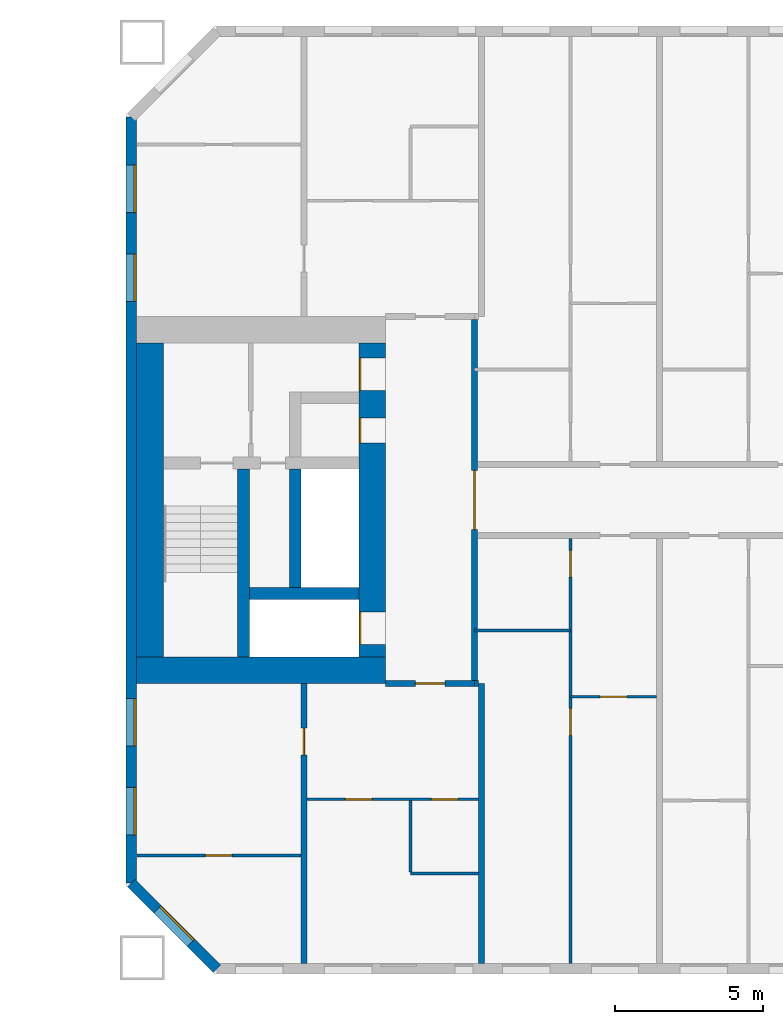
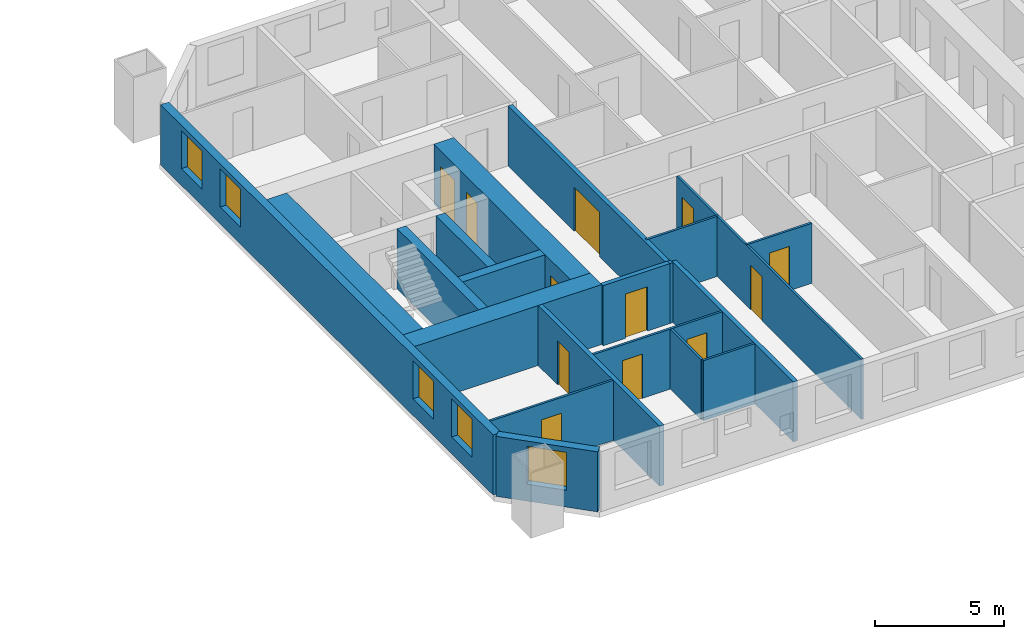
# One storey, part 9 of 17: 20 walls, 12 doors, 5 windows, 17 openings.
"""IFC4 building model written with IfcOpenShell, lengths in metres."""

from ifc_helpers import new_model, si_unit, direction, frame, frame_2d, origin, place, context, subcontext, project, spatial, rectangle, extrude, material, layer, layer_set, type_object, element, fill, save


model = new_model("IFC4")

# Units and contexts
model_context = context("Model", 3, precision=1e-05, world=origin(), true_north=direction((0.0, 1.0)))
body_context = subcontext(model_context, "Body", "Model", "MODEL_VIEW")
ifc_project = project(units=[si_unit("LENGTHUNIT", "METRE"), si_unit("AREAUNIT", "SQUARE_METRE"), si_unit("VOLUMEUNIT", "CUBIC_METRE"), si_unit("PLANEANGLEUNIT", "RADIAN"), si_unit("MASSUNIT", "GRAM", prefix="KILO")], contexts=[model_context])

# Site, building, storey
site_placement = place(None, origin())
site = spatial("IfcSite", under=ifc_project, at=site_placement, CompositionType="ELEMENT")
building_placement = place(site_placement, origin())
building = spatial("IfcBuilding", under=site, at=building_placement, Name="Tuart Gate Housing", CompositionType="ELEMENT")
storey_placement = place(building_placement, frame((0.0, 0.0, 25.699951171875)))
storey = spatial("IfcBuildingStorey", under=building, at=storey_placement, Name="L06", CompositionType="ELEMENT", Elevation=25.699951171875)

# Wall, opening, window
ifc_material_1 = material(Name="Brick", Category="masonry")
ifc_layer_1 = layer(ifc_material_1, 0.360107421875)
ifc_layer_set_1 = layer_set([ifc_layer_1], Name="Brick pier and spandrel wall 360")
wall_type_1 = type_object("IfcWallType", Name="Brick pier and spandrel wall 360", PredefinedType="STANDARD", material=ifc_layer_set_1)
wall_1_placement = place(storey_placement, frame((131.179931640625, 57.07470703125, 0.0), z_axis=(0.0, 0.0, 1.0), x_axis=(0.707106781187, -0.707106781187, 0.0)))
wall_1 = element("IfcWall", 1, at=wall_1_placement, inside=storey, type_object=wall_type_1, Name="External wall B-SW L06", PredefinedType="STANDARD", context=body_context, shape_type="SweptSolid", body=[
    extrude(rectangle(XDim=4.09375, YDim=0.360107421875, at=frame_2d((2.046875, 0.0))), origin(), (0.0, 0.0, 1.0), 2.85009765625),
])
opening_1_placement = place(wall_1_placement, frame((1.2470703125, 0.0, 0.800048828125)))
opening_1 = element("IfcOpeningElement", 2, at=opening_1_placement, cuts=wall_1, Name="Opening W1", PredefinedType="OPENING", context=body_context, shape_type="SweptSolid", body=[
    extrude(rectangle(XDim=1.60009765625, YDim=1.800048828125, at=frame_2d((0.800048828125, 0.89990234375))), frame((0.0, 0.18994140625, 0.0), z_axis=(0.0, -1.0, 0.0), x_axis=(1.0, 0.0, 0.0)), (0.0, 0.0, 1.0), 0.380126953125),
])
ifc_material_2 = material(Name="Aluminium frame with clear glass", Category="aluminium")
window_type = type_object("IfcWindowType", Name="Punched window 1600 x 1800", PartitioningType="SINGLE_PANEL", PredefinedType="WINDOW", material=ifc_material_2)
window_1_placement = place(opening_1_placement, origin())
window_1 = element("IfcWindow", 3, at=window_1_placement, inside=storey, type_object=window_type, Name="Window W1", OverallHeight=1.800048828125, OverallWidth=1.60009765625, PartitioningType="SINGLE_PANEL", PredefinedType="WINDOW", context=body_context, shape_type="SweptSolid", body=[
    extrude(rectangle(XDim=1.60009765625, YDim=1.800048828125, at=frame_2d((0.800048828125, 0.89990234375))), frame((0.0, 0.150146484375, 0.0), z_axis=(0.0, -1.0, 0.0), x_axis=(1.0, 0.0, 0.0)), (0.0, 0.0, 1.0), 0.06005859375),
])
fill(opening_1, window_1)

# Wall, openings, windows
wall_2_placement = place(storey_placement, frame((131.179931640625, 82.92529296875, 0.0), z_axis=(0.0, 0.0, 1.0), x_axis=(0.0, -1.0, 0.0)))
wall_2 = element("IfcWall", 4, at=wall_2_placement, inside=storey, type_object=wall_type_1, Name="External wall B-W L06", PredefinedType="STANDARD", context=body_context, shape_type="SweptSolid", body=[
    extrude(rectangle(XDim=25.850830078125, YDim=0.360107421875, at=frame_2d((12.92529296875, 0.0))), origin(), (0.0, 0.0, 1.0), 2.85009765625),
])
opening_2_placement = place(wall_2_placement, frame((1.62548828125, 0.0, 0.800048828125)))
opening_2 = element("IfcOpeningElement", 5, at=opening_2_placement, cuts=wall_2, Name="Opening W1", PredefinedType="OPENING", context=body_context, shape_type="SweptSolid", body=[
    extrude(rectangle(XDim=1.60009765625, YDim=1.800048828125, at=frame_2d((0.800048828125, 0.89990234375))), frame((0.0, 0.18994140625, 0.0), z_axis=(0.0, -1.0, 0.0), x_axis=(1.0, 0.0, 0.0)), (0.0, 0.0, 1.0), 0.380126953125),
])
opening_3_placement = place(wall_2_placement, frame((4.62548828125, 0.0, 0.800048828125)))
opening_3 = element("IfcOpeningElement", 6, at=opening_3_placement, cuts=wall_2, Name="Opening W1", PredefinedType="OPENING", context=body_context, shape_type="SweptSolid", body=[
    extrude(rectangle(XDim=1.60009765625, YDim=1.800048828125, at=frame_2d((0.800048828125, 0.89990234375))), frame((0.0, 0.18994140625, 0.0), z_axis=(0.0, -1.0, 0.0), x_axis=(1.0, 0.0, 0.0)), (0.0, 0.0, 1.0), 0.380126953125),
])
opening_4_placement = place(wall_2_placement, frame((19.62548828125, 0.0, 0.800048828125)))
opening_4 = element("IfcOpeningElement", 7, at=opening_4_placement, cuts=wall_2, Name="Opening W1", PredefinedType="OPENING", context=body_context, shape_type="SweptSolid", body=[
    extrude(rectangle(XDim=1.60009765625, YDim=1.800048828125, at=frame_2d((0.800048828125, 0.89990234375))), frame((0.0, 0.18994140625, 0.0), z_axis=(0.0, -1.0, 0.0), x_axis=(1.0, 0.0, 0.0)), (0.0, 0.0, 1.0), 0.380126953125),
])
opening_5_placement = place(wall_2_placement, frame((22.62548828125, 0.0, 0.800048828125)))
opening_5 = element("IfcOpeningElement", 8, at=opening_5_placement, cuts=wall_2, Name="Opening W1", PredefinedType="OPENING", context=body_context, shape_type="SweptSolid", body=[
    extrude(rectangle(XDim=1.60009765625, YDim=1.800048828125, at=frame_2d((0.800048828125, 0.89990234375))), frame((0.0, 0.18994140625, 0.0), z_axis=(0.0, -1.0, 0.0), x_axis=(1.0, 0.0, 0.0)), (0.0, 0.0, 1.0), 0.380126953125),
])
window_2_placement = place(opening_2_placement, origin())
window_2 = element("IfcWindow", 9, at=window_2_placement, inside=storey, type_object=window_type, Name="Window W1", OverallHeight=1.800048828125, OverallWidth=1.60009765625, PartitioningType="SINGLE_PANEL", PredefinedType="WINDOW", context=body_context, shape_type="SweptSolid", body=[
    extrude(rectangle(XDim=1.60009765625, YDim=1.800048828125, at=frame_2d((0.800048828125, 0.89990234375))), frame((0.0, 0.150146484375, 0.0), z_axis=(0.0, -1.0, 0.0), x_axis=(1.0, 0.0, 0.0)), (0.0, 0.0, 1.0), 0.06005859375),
])
fill(opening_2, window_2)
window_3_placement = place(opening_3_placement, origin())
window_3 = element("IfcWindow", 10, at=window_3_placement, inside=storey, type_object=window_type, Name="Window W1", OverallHeight=1.800048828125, OverallWidth=1.60009765625, PartitioningType="SINGLE_PANEL", PredefinedType="WINDOW", context=body_context, shape_type="SweptSolid", body=[
    extrude(rectangle(XDim=1.60009765625, YDim=1.800048828125, at=frame_2d((0.800048828125, 0.89990234375))), frame((0.0, 0.150146484375, 0.0), z_axis=(0.0, -1.0, 0.0), x_axis=(1.0, 0.0, 0.0)), (0.0, 0.0, 1.0), 0.06005859375),
])
fill(opening_3, window_3)
window_4_placement = place(opening_4_placement, origin())
window_4 = element("IfcWindow", 11, at=window_4_placement, inside=storey, type_object=window_type, Name="Window W1", OverallHeight=1.800048828125, OverallWidth=1.60009765625, PartitioningType="SINGLE_PANEL", PredefinedType="WINDOW", context=body_context, shape_type="SweptSolid", body=[
    extrude(rectangle(XDim=1.60009765625, YDim=1.800048828125, at=frame_2d((0.800048828125, 0.89990234375))), frame((0.0, 0.150146484375, 0.0), z_axis=(0.0, -1.0, 0.0), x_axis=(1.0, 0.0, 0.0)), (0.0, 0.0, 1.0), 0.06005859375),
])
fill(opening_4, window_4)
window_5_placement = place(opening_5_placement, origin())
window_5 = element("IfcWindow", 12, at=window_5_placement, inside=storey, type_object=window_type, Name="Window W1", OverallHeight=1.800048828125, OverallWidth=1.60009765625, PartitioningType="SINGLE_PANEL", PredefinedType="WINDOW", context=body_context, shape_type="SweptSolid", body=[
    extrude(rectangle(XDim=1.60009765625, YDim=1.800048828125, at=frame_2d((0.800048828125, 0.89990234375))), frame((0.0, 0.150146484375, 0.0), z_axis=(0.0, -1.0, 0.0), x_axis=(1.0, 0.0, 0.0)), (0.0, 0.0, 1.0), 0.06005859375),
])
fill(opening_5, window_5)

# Walls
ifc_material_3 = material(Name="Concrete C60", Category="concrete")
ifc_layer_2 = layer(ifc_material_3, 0.39990234375)
ifc_layer_set_2 = layer_set([ifc_layer_2], Name="Core wall 400 C60")
wall_type_2 = type_object("IfcWallType", Name="Core wall 400 C60", PredefinedType="SHEAR", material=ifc_layer_set_2)
wall_3_placement = place(storey_placement, frame((138.860107421875, 66.85009765625, 0.0), z_axis=(0.0, 0.0, 1.0), x_axis=(-1.0, 0.0, 0.0)))
element("IfcWall", 13, at=wall_3_placement, inside=storey, type_object=wall_type_2, Name="Core wall BG.1", PredefinedType="SHEAR", context=body_context, shape_type="SweptSolid", body=[
    extrude(rectangle(XDim=3.7001953125, YDim=0.39990234375, at=frame_2d((1.85009765625, 0.0))), origin(), (0.0, 0.0, 1.0), 2.85009765625),
])
wall_4_placement = place(storey_placement, frame((136.7099609375, 67.050048828125, 0.0), z_axis=(0.0, 0.0, 1.0), x_axis=(0.0, 1.0, 0.0)))
element("IfcWall", 14, at=wall_4_placement, inside=storey, type_object=wall_type_2, Name="Core wall BG.4", PredefinedType="SHEAR", context=body_context, shape_type="SweptSolid", body=[
    extrude(rectangle(XDim=4.0, YDim=0.39990234375, at=frame_2d((2.0, 0.0))), origin(), (0.0, 0.0, 1.0), 2.85009765625),
])
wall_5_placement = place(storey_placement, frame((134.9599609375, 64.699951171875, 0.0), z_axis=(0.0, 0.0, 1.0), x_axis=(0.0, 1.0, 0.0)))
element("IfcWall", 15, at=wall_5_placement, inside=storey, type_object=wall_type_2, Name="Core wall BG.7", PredefinedType="SHEAR", context=body_context, shape_type="SweptSolid", body=[
    extrude(rectangle(XDim=6.35009765625, YDim=0.39990234375, at=frame_2d((3.175048828125, 0.0))), origin(), (0.0, 0.0, 1.0), 2.85009765625),
])

# Wall, openings, doors
ifc_material_4 = material(Name="Concrete C60", Category="concrete")
ifc_layer_3 = layer(ifc_material_4, 0.89990234375)
ifc_layer_set_3 = layer_set([ifc_layer_3], Name="Core wall 900 C60")
wall_type_3 = type_object("IfcWallType", Name="Core wall 900 C60", PredefinedType="SHEAR", material=ifc_layer_set_3)
wall_6_placement = place(storey_placement, frame((139.31005859375, 64.699951171875, 0.0), z_axis=(0.0, 0.0, 1.0), x_axis=(0.0, 1.0, 0.0)))
wall_6 = element("IfcWall", 16, at=wall_6_placement, inside=storey, type_object=wall_type_3, Name="Core wall BG front", PredefinedType="SHEAR", context=body_context, shape_type="SweptSolid", body=[
    extrude(rectangle(XDim=10.60009765625, YDim=0.89990234375, at=frame_2d((5.300048828125, 0.0))), origin(), (0.0, 0.0, 1.0), 2.85009765625),
])
opening_6_placement = place(wall_6_placement, frame((0.425048828125, 0.0, 0.0)))
opening_6 = element("IfcOpeningElement", 17, at=opening_6_placement, cuts=wall_6, Name="Opening LD-FB1", PredefinedType="OPENING", context=body_context, shape_type="SweptSolid", body=[
    extrude(rectangle(XDim=1.10009765625, YDim=2.10009765625, at=frame_2d((0.550048828125, 1.050048828125))), frame((0.0, 0.4599609375, 0.0), z_axis=(0.0, -1.0, 0.0), x_axis=(1.0, 0.0, 0.0)), (0.0, 0.0, 1.0), 0.919921875),
])
opening_7_placement = place(wall_6_placement, frame((9.0, 0.0, 0.0)))
opening_7 = element("IfcOpeningElement", 18, at=opening_7_placement, cuts=wall_6, Name="Opening D435", PredefinedType="OPENING", context=body_context, shape_type="SweptSolid", body=[
    extrude(rectangle(XDim=1.10009765625, YDim=2.10009765625, at=frame_2d((0.550048828125, 1.050048828125))), frame((0.0, 0.4599609375, 0.0), z_axis=(0.0, -1.0, 0.0), x_axis=(1.0, 0.0, 0.0)), (0.0, 0.0, 1.0), 0.919921875),
])
opening_8_placement = place(wall_6_placement, frame((7.22509765625, 0.0, 0.0)))
opening_8 = element("IfcOpeningElement", 19, at=opening_8_placement, cuts=wall_6, Name="Opening D436", PredefinedType="OPENING", context=body_context, shape_type="SweptSolid", body=[
    extrude(rectangle(XDim=0.85009765625, YDim=2.10009765625, at=frame_2d((0.425048828125, 1.050048828125))), frame((0.0, 0.4599609375, 0.0), z_axis=(0.0, -1.0, 0.0), x_axis=(1.0, 0.0, 0.0)), (0.0, 0.0, 1.0), 0.919921875),
])
ifc_material_5 = material(Name="Stainless steel", Category="steel")
door_type_1 = type_object("IfcDoorType", Name="Landing door 1100 x 2100", OperationType="DOUBLE_DOOR_SLIDING", PredefinedType="DOOR", material=ifc_material_5)
door_1_placement = place(opening_6_placement, origin())
door_1 = element("IfcDoor", 20, at=door_1_placement, inside=storey, type_object=door_type_1, Name="Lift landing door FB1", OperationType="DOUBLE_DOOR_SLIDING", OverallHeight=2.10009765625, OverallWidth=1.10009765625, PredefinedType="DOOR", context=body_context, shape_type="SweptSolid", body=[
    extrude(rectangle(XDim=1.10009765625, YDim=2.10009765625, at=frame_2d((0.550048828125, 1.050048828125))), frame((0.0, 0.43505859375, 0.0), z_axis=(0.0, -1.0, 0.0), x_axis=(1.0, 0.0, 0.0)), (0.0, 0.0, 1.0), 0.050048828125),
])
fill(opening_6, door_1)
ifc_material_6 = material(Name="Steel fire door", Category="steel")
door_type_2 = type_object("IfcDoorType", Name="Lobby door 1100 x 2100", OperationType="SINGLE_SWING_LEFT", PredefinedType="DOOR", material=ifc_material_6)
door_2_placement = place(opening_7_placement, origin())
door_2 = element("IfcDoor", 21, at=door_2_placement, inside=storey, type_object=door_type_2, Name="Lobby entry door BG.EN", OperationType="SINGLE_SWING_LEFT", OverallHeight=2.10009765625, OverallWidth=1.10009765625, PredefinedType="DOOR", context=body_context, shape_type="SweptSolid", body=[
    extrude(rectangle(XDim=1.10009765625, YDim=2.10009765625, at=frame_2d((0.550048828125, 1.050048828125))), frame((0.0, 0.43505859375, 0.0), z_axis=(0.0, -1.0, 0.0), x_axis=(1.0, 0.0, 0.0)), (0.0, 0.0, 1.0), 0.050048828125),
])
fill(opening_7, door_2)
ifc_material_7 = material(Name="Steel fire door", Category="steel")
door_type_3 = type_object("IfcDoorType", Name="Service door 850 x 2100", OperationType="SINGLE_SWING_LEFT", PredefinedType="DOOR", material=ifc_material_7)
door_3_placement = place(opening_8_placement, origin())
door_3 = element("IfcDoor", 22, at=door_3_placement, inside=storey, type_object=door_type_3, Name="Service room door BG.T1", OperationType="SINGLE_SWING_LEFT", OverallHeight=2.10009765625, OverallWidth=0.85009765625, PredefinedType="DOOR", context=body_context, shape_type="SweptSolid", body=[
    extrude(rectangle(XDim=0.85009765625, YDim=2.10009765625, at=frame_2d((0.425048828125, 1.050048828125))), frame((0.0, 0.43505859375, 0.0), z_axis=(0.0, -1.0, 0.0), x_axis=(1.0, 0.0, 0.0)), (0.0, 0.0, 1.0), 0.050048828125),
])
fill(opening_8, door_3)

# Walls
wall_7_placement = place(storey_placement, frame((131.81005859375, 64.699951171875, 0.0), z_axis=(0.0, 0.0, 1.0), x_axis=(0.0, 1.0, 0.0)))
element("IfcWall", 23, at=wall_7_placement, inside=storey, type_object=wall_type_3, Name="Core wall BG back", PredefinedType="SHEAR", context=body_context, shape_type="SweptSolid", body=[
    extrude(rectangle(XDim=10.60009765625, YDim=0.89990234375, at=frame_2d((5.300048828125, 0.0))), origin(), (0.0, 0.0, 1.0), 2.85009765625),
])
wall_8_placement = place(storey_placement, frame((139.760009765625, 64.25, 0.0), z_axis=(0.0, 0.0, 1.0), x_axis=(-1.0, 0.0, 0.0)))
element("IfcWall", 24, at=wall_8_placement, inside=storey, type_object=wall_type_3, Name="Core wall BG south", PredefinedType="SHEAR", context=body_context, shape_type="SweptSolid", body=[
    extrude(rectangle(XDim=8.39990234375, YDim=0.89990234375, at=frame_2d((4.199951171875, 0.0))), origin(), (0.0, 0.0, 1.0), 2.85009765625),
])

# Wall, opening, door
ifc_material_8 = material(Name="Concrete masonry 15 MPa", Category="masonry")
ifc_layer_4 = layer(ifc_material_8, 0.199951171875)
ifc_layer_set_4 = layer_set([ifc_layer_4], Name="Enclosure wall masonry 200")
wall_type_4 = type_object("IfcWallType", Name="Enclosure wall masonry 200", PredefinedType="PARTITIONING", material=ifc_layer_set_4)
wall_9_placement = place(storey_placement, frame((139.760009765625, 63.800048828125, 0.0), z_axis=(0.0, 0.0, 1.0), x_axis=(1.0, 0.0, 0.0)))
wall_9 = element("IfcWall", 25, at=wall_9_placement, inside=storey, type_object=wall_type_4, Name="Enclosure wall masonry 200", PredefinedType="PARTITIONING", context=body_context, shape_type="SweptSolid", body=[
    extrude(rectangle(XDim=3.0, YDim=0.199951171875, at=frame_2d((1.5, 0.0))), origin(), (0.0, 0.0, 1.0), 2.85009765625),
])
opening_9_placement = place(wall_9_placement, frame((1.0, 0.0, 0.0)))
opening_9 = element("IfcOpeningElement", 26, at=opening_9_placement, cuts=wall_9, Name="Opening D447", PredefinedType="OPENING", context=body_context, shape_type="SweptSolid", body=[
    extrude(rectangle(XDim=1.0, YDim=2.10009765625, at=frame_2d((0.5, 1.050048828125))), frame((0.0, 0.10986328125, 0.0), z_axis=(0.0, -1.0, 0.0), x_axis=(1.0, 0.0, 0.0)), (0.0, 0.0, 1.0), 0.219970703125),
])
ifc_material_9 = material(Name="Timber door leaf in steel frame", Category="steel")
door_type_4 = type_object("IfcDoorType", Name="Flat entrance door 1000", OperationType="SINGLE_SWING_LEFT", PredefinedType="DOOR", material=ifc_material_9)
door_4_placement = place(opening_9_placement, frame((1.0, 0.0, 0.0), z_axis=(0.0, 0.0, 1.0), x_axis=(-1.0, 0.0, 0.0)))
door_4 = element("IfcDoor", 27, at=door_4_placement, inside=storey, type_object=door_type_4, Name="Flat entrance door", OperationType="SINGLE_SWING_LEFT", OverallHeight=2.10009765625, OverallWidth=1.0, PredefinedType="DOOR", context=body_context, shape_type="SweptSolid", body=[
    extrude(rectangle(XDim=1.0, YDim=2.10009765625, at=frame_2d((0.5, 1.050048828125))), frame((0.0, 0.025146484375, 0.0), z_axis=(0.0, -1.0, 0.0), x_axis=(1.0, 0.0, 0.0)), (0.0, 0.0, 1.0), 0.050048828125),
])
fill(opening_9, door_4)

ifc_material_10 = material(Name="Plasterboard partition")
ifc_layer_5 = layer(ifc_material_10, 0.199951171875)
ifc_layer_set_5 = layer_set([ifc_layer_5], Name="Lobby wall 200")
wall_type_5 = type_object("IfcWallType", Name="Lobby wall 200", PredefinedType="PARTITIONING", material=ifc_layer_set_5)
wall_10_placement = place(storey_placement, frame((142.760009765625, 63.89990234375, 0.0), z_axis=(0.0, 0.0, 1.0), x_axis=(0.0, 1.0, 0.0)))
wall_10 = element("IfcWall", 28, at=wall_10_placement, inside=storey, type_object=wall_type_5, Name="Lift lobby wall BG", PredefinedType="PARTITIONING", context=body_context, shape_type="SweptSolid", body=[
    extrude(rectangle(XDim=12.2001953125, YDim=0.199951171875, at=frame_2d((6.10009765625, 0.0))), origin(), (0.0, 0.0, 1.0), 2.85009765625),
])
opening_10_placement = place(wall_10_placement, frame((5.10009765625, 0.0, 0.0)))
opening_10 = element("IfcOpeningElement", 29, at=opening_10_placement, cuts=wall_10, Name="Opening D437", PredefinedType="OPENING", context=body_context, shape_type="SweptSolid", body=[
    extrude(rectangle(XDim=2.0, YDim=2.10009765625, at=frame_2d((1.0, 1.050048828125))), frame((0.0, 0.10986328125, 0.0), z_axis=(0.0, -1.0, 0.0), x_axis=(1.0, 0.0, 0.0)), (0.0, 0.0, 1.0), 0.219970703125),
])
ifc_material_11 = material(Name="Steel fire door", Category="steel")
door_type_5 = type_object("IfcDoorType", Name="Smoke door 2000 x 2100", OperationType="DOUBLE_DOOR_SINGLE_SWING", PredefinedType="DOOR", material=ifc_material_11)
door_5_placement = place(opening_10_placement, origin())
door_5 = element("IfcDoor", 30, at=door_5_placement, inside=storey, type_object=door_type_5, Name="Lift lobby smoke door BG", OperationType="DOUBLE_DOOR_SINGLE_SWING", OverallHeight=2.10009765625, OverallWidth=2.0, PredefinedType="DOOR", context=body_context, shape_type="SweptSolid", body=[
    extrude(rectangle(XDim=2.0, YDim=2.10009765625, at=frame_2d((1.0, 1.050048828125))), frame((0.0, 0.02490234375, 0.0), z_axis=(0.0, -1.0, 0.0), x_axis=(1.0, 0.0, 0.0)), (0.0, 0.0, 1.0), 0.050048828125),
])
fill(opening_10, door_5)

# Wall
ifc_material_12 = material(Name="Gypsum board on steel studs", Category="steel")
ifc_layer_6 = layer(ifc_material_12, 0.10009765625)
ifc_layer_set_6 = layer_set([ifc_layer_6], Name="Partition 100")
wall_type_6 = type_object("IfcWallType", Name="Partition 100", PredefinedType="PARTITIONING", material=ifc_layer_set_6)
wall_11_placement = place(storey_placement, frame((140.60009765625, 57.39990234375, 0.0), z_axis=(0.0, 0.0, 1.0), x_axis=(1.0, 0.0, 0.0)))
element("IfcWall", 31, at=wall_11_placement, inside=storey, type_object=wall_type_6, Name="Partition 100", PredefinedType="PARTITIONING", context=body_context, shape_type="SweptSolid", body=[
    extrude(rectangle(XDim=2.2998046875, YDim=0.10009765625, at=frame_2d((1.14990234375, 0.0))), origin(), (0.0, 0.0, 1.0), 2.85009765625),
])

# Wall, opening, door
wall_12_placement = place(storey_placement, frame((131.360107421875, 58.0, 0.0), z_axis=(0.0, 0.0, 1.0), x_axis=(1.0, 0.0, 0.0)))
wall_12 = element("IfcWall", 32, at=wall_12_placement, inside=storey, type_object=wall_type_6, Name="Partition 100", PredefinedType="PARTITIONING", context=body_context, shape_type="SweptSolid", body=[
    extrude(rectangle(XDim=5.539794921875, YDim=0.10009765625, at=frame_2d((2.77001953125, 0.0))), origin(), (0.0, 0.0, 1.0), 2.85009765625),
])
opening_11_placement = place(wall_12_placement, frame((2.320068359375, 0.0, 0.0)))
opening_11 = element("IfcOpeningElement", 33, at=opening_11_placement, cuts=wall_12, Name="Opening D461", PredefinedType="OPENING", context=body_context, shape_type="SweptSolid", body=[
    extrude(rectangle(XDim=0.89990234375, YDim=2.10009765625, at=frame_2d((0.449951171875, 1.050048828125))), frame((0.0, 0.06005859375, 0.0), z_axis=(0.0, -1.0, 0.0), x_axis=(1.0, 0.0, 0.0)), (0.0, 0.0, 1.0), 0.1201171875),
])
ifc_material_13 = material(Name="Timber door leaf in steel frame", Category="steel")
door_type_6 = type_object("IfcDoorType", Name="Internal door 900 RH", OperationType="SINGLE_SWING_RIGHT", PredefinedType="DOOR", material=ifc_material_13)
door_6_placement = place(opening_11_placement, frame((0.89990234375, 0.0, 0.0), z_axis=(0.0, 0.0, 1.0), x_axis=(-1.0, 0.0, 0.0)))
door_6 = element("IfcDoor", 34, at=door_6_placement, inside=storey, type_object=door_type_6, Name="Internal door", OperationType="SINGLE_SWING_RIGHT", OverallHeight=2.10009765625, OverallWidth=0.89990234375, PredefinedType="DOOR", context=body_context, shape_type="SweptSolid", body=[
    extrude(rectangle(XDim=0.89990234375, YDim=2.10009765625, at=frame_2d((0.449951171875, 1.050048828125))), frame((0.0, 0.025146484375, 0.0), z_axis=(0.0, -1.0, 0.0), x_axis=(1.0, 0.0, 0.0)), (0.0, 0.0, 1.0), 0.050048828125),
])
fill(opening_11, door_6)

# Wall, openings, doors
wall_13_placement = place(storey_placement, frame((137.10009765625, 59.89990234375, 0.0), z_axis=(0.0, 0.0, 1.0), x_axis=(1.0, 0.0, 0.0)))
wall_13 = element("IfcWall", 35, at=wall_13_placement, inside=storey, type_object=wall_type_6, Name="Partition 100", PredefinedType="PARTITIONING", context=body_context, shape_type="SweptSolid", body=[
    extrude(rectangle(XDim=5.7998046875, YDim=0.10009765625, at=frame_2d((2.89990234375, 0.0))), origin(), (0.0, 0.0, 1.0), 2.85009765625),
])
opening_12_placement = place(wall_13_placement, frame((1.300048828125, 0.0, 0.0)))
opening_12 = element("IfcOpeningElement", 36, at=opening_12_placement, cuts=wall_13, Name="Opening D458", PredefinedType="OPENING", context=body_context, shape_type="SweptSolid", body=[
    extrude(rectangle(XDim=0.89990234375, YDim=2.10009765625, at=frame_2d((0.449951171875, 1.050048828125))), frame((0.0, 0.06005859375, 0.0), z_axis=(0.0, -1.0, 0.0), x_axis=(1.0, 0.0, 0.0)), (0.0, 0.0, 1.0), 0.1201171875),
])
opening_13_placement = place(wall_13_placement, frame((4.199951171875, 0.0, 0.0)))
opening_13 = element("IfcOpeningElement", 37, at=opening_13_placement, cuts=wall_13, Name="Opening D457", PredefinedType="OPENING", context=body_context, shape_type="SweptSolid", body=[
    extrude(rectangle(XDim=0.89990234375, YDim=2.10009765625, at=frame_2d((0.449951171875, 1.050048828125))), frame((0.0, 0.06005859375, 0.0), z_axis=(0.0, -1.0, 0.0), x_axis=(1.0, 0.0, 0.0)), (0.0, 0.0, 1.0), 0.1201171875),
])
ifc_material_14 = material(Name="Timber door leaf in steel frame", Category="steel")
door_type_7 = type_object("IfcDoorType", Name="Bathroom door 900 RH", OperationType="SINGLE_SWING_RIGHT", PredefinedType="DOOR", material=ifc_material_14)
door_7_placement = place(opening_13_placement, frame((0.89990234375, 0.0, 0.0), z_axis=(0.0, 0.0, 1.0), x_axis=(-1.0, 0.0, 0.0)))
door_7 = element("IfcDoor", 38, at=door_7_placement, inside=storey, type_object=door_type_7, Name="Bathroom door", OperationType="SINGLE_SWING_RIGHT", OverallHeight=2.10009765625, OverallWidth=0.89990234375, PredefinedType="DOOR", context=body_context, shape_type="SweptSolid", body=[
    extrude(rectangle(XDim=0.89990234375, YDim=2.10009765625, at=frame_2d((0.449951171875, 1.050048828125))), frame((0.0, 0.025146484375, 0.0), z_axis=(0.0, -1.0, 0.0), x_axis=(1.0, 0.0, 0.0)), (0.0, 0.0, 1.0), 0.050048828125),
])
fill(opening_13, door_7)
ifc_material_15 = material(Name="Timber door leaf in steel frame", Category="steel")
door_type_8 = type_object("IfcDoorType", Name="Internal door 900", OperationType="SINGLE_SWING_LEFT", PredefinedType="DOOR", material=ifc_material_15)
door_8_placement = place(opening_12_placement, frame((0.89990234375, 0.0, 0.0), z_axis=(0.0, 0.0, 1.0), x_axis=(-1.0, 0.0, 0.0)))
door_8 = element("IfcDoor", 39, at=door_8_placement, inside=storey, type_object=door_type_8, Name="Internal door", OperationType="SINGLE_SWING_LEFT", OverallHeight=2.10009765625, OverallWidth=0.89990234375, PredefinedType="DOOR", context=body_context, shape_type="SweptSolid", body=[
    extrude(rectangle(XDim=0.89990234375, YDim=2.10009765625, at=frame_2d((0.449951171875, 1.050048828125))), frame((0.0, 0.025146484375, 0.0), z_axis=(0.0, -1.0, 0.0), x_axis=(1.0, 0.0, 0.0)), (0.0, 0.0, 1.0), 0.050048828125),
])
fill(opening_12, door_8)

# Wall, opening, door
wall_14_placement = place(storey_placement, frame((146.0, 63.360107421875, 0.0), z_axis=(0.0, 0.0, 1.0), x_axis=(1.0, 0.0, 0.0)))
wall_14 = element("IfcWall", 40, at=wall_14_placement, inside=storey, type_object=wall_type_6, Name="Partition 100", PredefinedType="PARTITIONING", context=body_context, shape_type="SweptSolid", body=[
    extrude(rectangle(XDim=2.89990234375, YDim=0.10009765625, at=frame_2d((1.449951171875, 0.0))), origin(), (0.0, 0.0, 1.0), 2.85009765625),
])
opening_14_placement = place(wall_14_placement, frame((1.0, 0.0, 0.0)))
opening_14 = element("IfcOpeningElement", 41, at=opening_14_placement, cuts=wall_14, Name="Opening D450", PredefinedType="OPENING", context=body_context, shape_type="SweptSolid", body=[
    extrude(rectangle(XDim=0.89990234375, YDim=2.10009765625, at=frame_2d((0.449951171875, 1.050048828125))), frame((0.0, 0.06005859375, 0.0), z_axis=(0.0, -1.0, 0.0), x_axis=(1.0, 0.0, 0.0)), (0.0, 0.0, 1.0), 0.1201171875),
])
door_9_placement = place(opening_14_placement, origin())
door_9 = element("IfcDoor", 42, at=door_9_placement, inside=storey, type_object=door_type_8, Name="Internal door", OperationType="SINGLE_SWING_LEFT", OverallHeight=2.10009765625, OverallWidth=0.89990234375, PredefinedType="DOOR", context=body_context, shape_type="SweptSolid", body=[
    extrude(rectangle(XDim=0.89990234375, YDim=2.10009765625, at=frame_2d((0.449951171875, 1.050048828125))), frame((0.0, 0.02490234375, 0.0), z_axis=(0.0, -1.0, 0.0), x_axis=(1.0, 0.0, 0.0)), (0.0, 0.0, 1.0), 0.050048828125),
])
fill(opening_14, door_9)

# Walls
wall_15_placement = place(storey_placement, frame((142.760009765625, 65.60009765625, 0.0), z_axis=(0.0, 0.0, 1.0), x_axis=(1.0, 0.0, 0.0)))
element("IfcWall", 43, at=wall_15_placement, inside=storey, type_object=wall_type_6, Name="Partition 100", PredefinedType="PARTITIONING", context=body_context, shape_type="SweptSolid", body=[
    extrude(rectangle(XDim=3.239990234375, YDim=0.10009765625, at=frame_2d((1.6201171875, 0.0))), origin(), (0.0, 0.0, 1.0), 2.85009765625),
])
wall_16_placement = place(storey_placement, frame((140.60009765625, 57.449951171875, 0.0), z_axis=(0.0, 0.0, 1.0), x_axis=(0.0, 1.0, 0.0)))
element("IfcWall", 44, at=wall_16_placement, inside=storey, type_object=wall_type_6, Name="Partition 100", PredefinedType="PARTITIONING", context=body_context, shape_type="SweptSolid", body=[
    extrude(rectangle(XDim=2.400146484375, YDim=0.10009765625, at=frame_2d((1.2001953125, 0.0))), origin(), (0.0, 0.0, 1.0), 2.85009765625),
])

# Wall, openings, doors
wall_17_placement = place(storey_placement, frame((146.0, 54.360107421875, 0.0), z_axis=(0.0, 0.0, 1.0), x_axis=(0.0, 1.0, 0.0)))
wall_17 = element("IfcWall", 45, at=wall_17_placement, inside=storey, type_object=wall_type_6, Name="Partition 100", PredefinedType="PARTITIONING", context=body_context, shape_type="SweptSolid", body=[
    extrude(rectangle(XDim=14.33984375, YDim=0.10009765625, at=frame_2d((7.169921875, 0.0))), origin(), (0.0, 0.0, 1.0), 2.85009765625),
])
opening_15_placement = place(wall_17_placement, frame((7.699951171875, 0.0, 0.0)))
opening_15 = element("IfcOpeningElement", 46, at=opening_15_placement, cuts=wall_17, Name="Opening D452", PredefinedType="OPENING", context=body_context, shape_type="SweptSolid", body=[
    extrude(rectangle(XDim=0.89990234375, YDim=2.10009765625, at=frame_2d((0.449951171875, 1.050048828125))), frame((0.0, 0.06005859375, 0.0), z_axis=(0.0, -1.0, 0.0), x_axis=(1.0, 0.0, 0.0)), (0.0, 0.0, 1.0), 0.1201171875),
])
opening_16_placement = place(wall_17_placement, frame((13.0400390625, 0.0, 0.0)))
opening_16 = element("IfcOpeningElement", 47, at=opening_16_placement, cuts=wall_17, Name="Opening D451", PredefinedType="OPENING", context=body_context, shape_type="SweptSolid", body=[
    extrude(rectangle(XDim=0.89990234375, YDim=2.10009765625, at=frame_2d((0.449951171875, 1.050048828125))), frame((0.0, 0.06005859375, 0.0), z_axis=(0.0, -1.0, 0.0), x_axis=(1.0, 0.0, 0.0)), (0.0, 0.0, 1.0), 0.1201171875),
])
door_10_placement = place(opening_16_placement, origin())
door_10 = element("IfcDoor", 48, at=door_10_placement, inside=storey, type_object=door_type_7, Name="Bathroom door", OperationType="SINGLE_SWING_RIGHT", OverallHeight=2.10009765625, OverallWidth=0.89990234375, PredefinedType="DOOR", context=body_context, shape_type="SweptSolid", body=[
    extrude(rectangle(XDim=0.89990234375, YDim=2.10009765625, at=frame_2d((0.449951171875, 1.050048828125))), frame((0.0, 0.02490234375, 0.0), z_axis=(0.0, -1.0, 0.0), x_axis=(1.0, 0.0, 0.0)), (0.0, 0.0, 1.0), 0.050048828125),
])
fill(opening_16, door_10)
door_11_placement = place(opening_15_placement, origin())
door_11 = element("IfcDoor", 49, at=door_11_placement, inside=storey, type_object=door_type_6, Name="Internal door", OperationType="SINGLE_SWING_RIGHT", OverallHeight=2.10009765625, OverallWidth=0.89990234375, PredefinedType="DOOR", context=body_context, shape_type="SweptSolid", body=[
    extrude(rectangle(XDim=0.89990234375, YDim=2.10009765625, at=frame_2d((0.449951171875, 1.050048828125))), frame((0.0, 0.02490234375, 0.0), z_axis=(0.0, -1.0, 0.0), x_axis=(1.0, 0.0, 0.0)), (0.0, 0.0, 1.0), 0.050048828125),
])
fill(opening_15, door_11)

# Wall, opening, door
ifc_material_16 = material(Name="Concrete C40", Category="concrete")
ifc_layer_7 = layer(ifc_material_16, 0.199951171875)
ifc_layer_set_7 = layer_set([ifc_layer_7], Name="Party wall concrete C40 200")
wall_type_7 = type_object("IfcWallType", Name="Party wall concrete C40 200", PredefinedType="SOLIDWALL", material=ifc_layer_set_7)
wall_18_placement = place(storey_placement, frame((137.0, 54.360107421875, 0.0), z_axis=(0.0, 0.0, 1.0), x_axis=(0.0, 1.0, 0.0)))
wall_18 = element("IfcWall", 50, at=wall_18_placement, inside=storey, type_object=wall_type_7, Name="Party wall concrete C40 200", PredefinedType="SOLIDWALL", context=body_context, shape_type="SweptSolid", body=[
    extrude(rectangle(XDim=9.43994140625, YDim=0.199951171875, at=frame_2d((4.719970703125, 0.0))), origin(), (0.0, 0.0, 1.0), 2.85009765625),
])
opening_17_placement = place(wall_18_placement, frame((7.0400390625, 0.0, 0.0)))
opening_17 = element("IfcOpeningElement", 51, at=opening_17_placement, cuts=wall_18, Name="Opening D460", PredefinedType="OPENING", context=body_context, shape_type="SweptSolid", body=[
    extrude(rectangle(XDim=0.89990234375, YDim=2.10009765625, at=frame_2d((0.449951171875, 1.050048828125))), frame((0.0, 0.10986328125, 0.0), z_axis=(0.0, -1.0, 0.0), x_axis=(1.0, 0.0, 0.0)), (0.0, 0.0, 1.0), 0.219970703125),
])
door_12_placement = place(opening_17_placement, frame((0.89990234375, 0.0, 0.0), z_axis=(0.0, 0.0, 1.0), x_axis=(-1.0, 0.0, 0.0)))
door_12 = element("IfcDoor", 52, at=door_12_placement, inside=storey, type_object=door_type_6, Name="Internal door", OperationType="SINGLE_SWING_RIGHT", OverallHeight=2.10009765625, OverallWidth=0.89990234375, PredefinedType="DOOR", context=body_context, shape_type="SweptSolid", body=[
    extrude(rectangle(XDim=0.89990234375, YDim=2.10009765625, at=frame_2d((0.449951171875, 1.050048828125))), frame((0.0, 0.025146484375, 0.0), z_axis=(0.0, -1.0, 0.0), x_axis=(1.0, 0.0, 0.0)), (0.0, 0.0, 1.0), 0.050048828125),
])
fill(opening_17, door_12)

# Walls
wall_19_placement = place(storey_placement, frame((143.0, 54.360107421875, 0.0), z_axis=(0.0, 0.0, 1.0), x_axis=(0.0, 1.0, 0.0)))
element("IfcWall", 53, at=wall_19_placement, inside=storey, type_object=wall_type_7, Name="Party wall concrete C40 200", PredefinedType="SOLIDWALL", context=body_context, shape_type="SweptSolid", body=[
    extrude(rectangle(XDim=9.43994140625, YDim=0.199951171875, at=frame_2d((4.719970703125, 0.0))), origin(), (0.0, 0.0, 1.0), 2.85009765625),
])
ifc_material_17 = material(Name="Concrete masonry 15 MPa", Category="masonry")
ifc_layer_8 = layer(ifc_material_17, 0.199951171875)
ifc_layer_set_8 = layer_set([ifc_layer_8], Name="Party wall masonry 200")
wall_type_8 = type_object("IfcWallType", Name="Party wall masonry 200", PredefinedType="PARTITIONING", material=ifc_layer_set_8)
wall_20_placement = place(storey_placement, frame((142.760009765625, 63.800048828125, 0.0), z_axis=(0.0, 0.0, 1.0), x_axis=(1.0, 0.0, 0.0)))
element("IfcWall", 54, at=wall_20_placement, inside=storey, type_object=wall_type_8, Name="Party wall masonry 200", PredefinedType="PARTITIONING", context=body_context, shape_type="SweptSolid", body=[
    extrude(rectangle(XDim=0.139892578125, YDim=0.199951171875, at=frame_2d((0.06982421875, 0.0))), origin(), (0.0, 0.0, 1.0), 2.85009765625),
])

save(model, "model.ifc")
